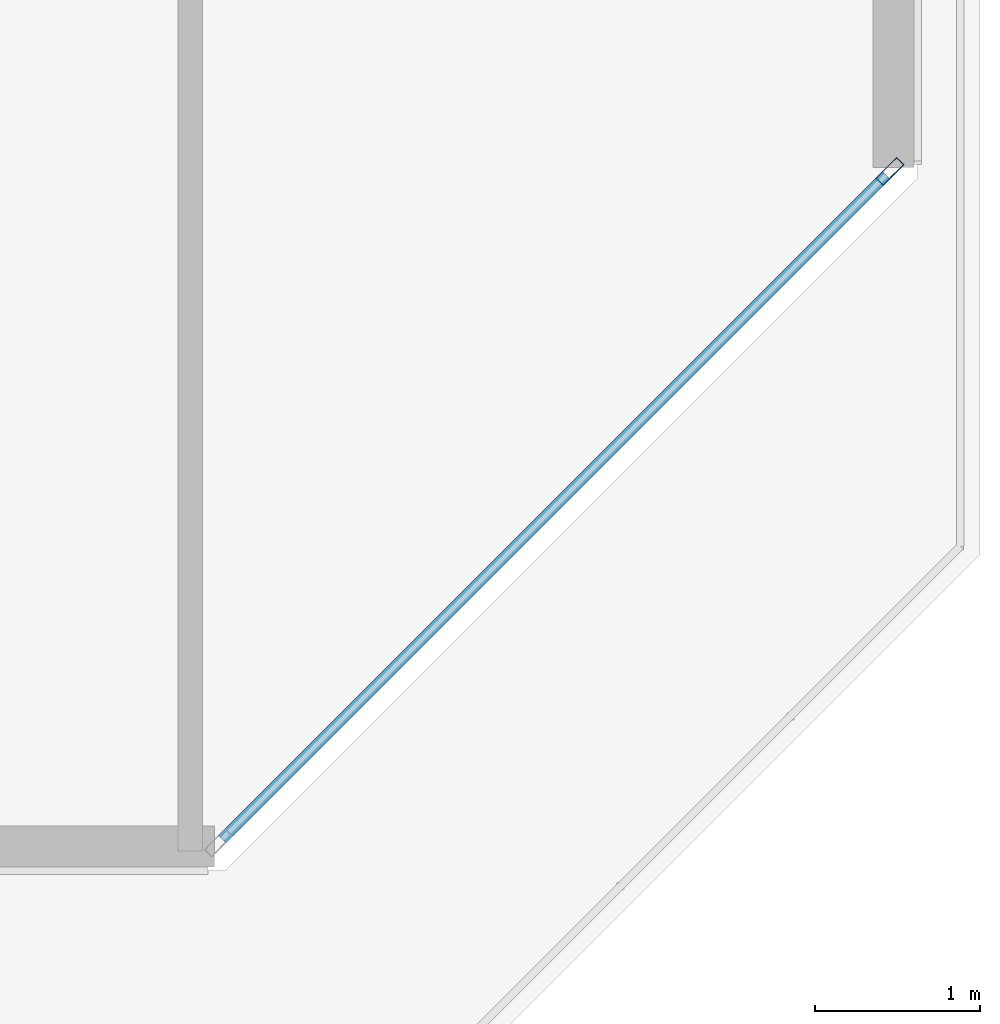
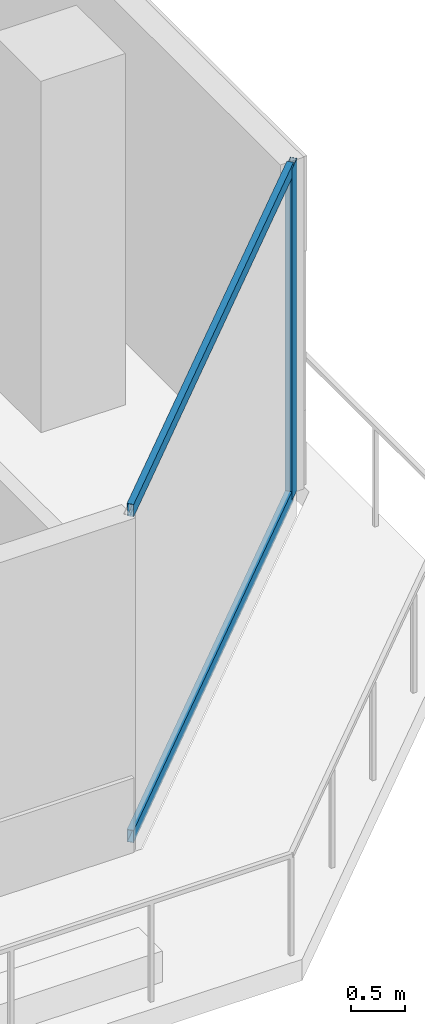
# One storey, part 16 of 30: 3 members, 1 element without a shape of its own.
"""IFC4 building model written with IfcOpenShell, lengths in metres."""

from ifc_helpers import new_model, si_unit, direction, frame, origin, origin_2d, place, context, subcontext, project, spatial, hollow_rectangle, extrude, material, layer, layer_set, material_profile, profile_set, type_object, element, aggregate, save


model = new_model("IFC4")

# Units and contexts
model_context = context("Model", 3, precision=1e-05, world=origin(), true_north=direction((0.0, 1.0)))
body_context = subcontext(model_context, "Body", "Model", "MODEL_VIEW")
ifc_project = project(units=[si_unit("LENGTHUNIT", "METRE"), si_unit("AREAUNIT", "SQUARE_METRE"), si_unit("VOLUMEUNIT", "CUBIC_METRE"), si_unit("PLANEANGLEUNIT", "RADIAN"), si_unit("MASSUNIT", "GRAM", prefix="KILO")], contexts=[model_context])

# Site, building, storey
site_placement = place(None, origin())
site = spatial("IfcSite", under=ifc_project, at=site_placement, CompositionType="ELEMENT")
building_placement = place(site_placement, origin())
building = spatial("IfcBuilding", under=site, at=building_placement, Name="Tanjung Sevakor Pilgrim Tower", CompositionType="ELEMENT")
storey_placement = place(building_placement, frame((0.0, 0.0, 128.0400390625)))
storey = spatial("IfcBuildingStorey", under=building, at=storey_placement, Name="L35", CompositionType="ELEMENT", Elevation=128.0400390625)

# Curtain wall, members
ifc_material_1 = material(Name="Aluminium 6063-T6 and Low-E Glass", Category="aluminium")
ifc_layer = layer(ifc_material_1, 0.179931640625)
ifc_layer_set = layer_set([ifc_layer], Name="CW-SYS-CHAM")
curtain_wall_type = type_object("IfcCurtainWallType", Name="CW-SYS-CHAM", PredefinedType="NOTDEFINED", material=ifc_layer_set)
curtain_wall_placement = place(storey_placement, origin())
curtain_wall = element("IfcCurtainWall", 1, at=curtain_wall_placement, inside=storey, type_object=curtain_wall_type, Name="L35 Curtain Wall CW-CHM-L35-MAIN-5", PredefinedType="NOTDEFINED")
ifc_material_2 = material(Name="Aluminium 6063-T6", Category="aluminium")
ifc_material_profile_1 = material_profile(ifc_material_2, hollow_rectangle(XDim=0.06494140625, YDim=0.179931640625, WallThickness=0.00390625, at=origin_2d()))
ifc_profile_set_1 = profile_set([ifc_material_profile_1], Name="Aluminium 6063-T6")
member_type_1 = type_object("IfcMemberType", Name="TYPE-CWM-1", PredefinedType="MULLION", material=ifc_profile_set_1)
member_1_placement = place(storey_placement, frame((99.85205078125, 16.12890625, 0.0), z_axis=(0.0, 0.0, 1.0), x_axis=(-0.707106781187, 0.707106781187, 0.0)))
member_1 = element("IfcMember", 2, at=member_1_placement, type_object=member_type_1, Name="CW-CHM mullion 2", PredefinedType="MULLION", context=body_context, shape_type="SweptSolid", body=[
    extrude(hollow_rectangle(XDim=0.06494140625, YDim=0.179931640625, WallThickness=0.00390625, at=origin_2d()), origin(), (0.0, 0.0, 1.0), 3.739990234375),
])
ifc_material_3 = material(Name="Aluminium 6063-T6", Category="aluminium")
ifc_material_profile_2 = material_profile(ifc_material_3, hollow_rectangle(XDim=0.06494140625, YDim=0.139892578125, WallThickness=0.00390625, at=origin_2d()))
ifc_profile_set_2 = profile_set([ifc_material_profile_2], Name="Aluminium 6063-T6")
member_type_2 = type_object("IfcMemberType", Name="TYPE-CWT-1", PredefinedType="USERDEFINED", material=ifc_profile_set_2)
member_2_placement = place(storey_placement, frame((95.794189453125, 12.071044921875, 0.032470703125), z_axis=(0.707106781187, 0.707106781187, 0.0), x_axis=(-0.707106781187, 0.707106781187, 0.0)))
member_2 = element("IfcMember", 3, at=member_2_placement, type_object=member_type_2, Name="CW-CHM transom 1.1", ObjectType="TRANSOM", PredefinedType="USERDEFINED", context=body_context, shape_type="SweptSolid", body=[
    extrude(hollow_rectangle(XDim=0.06494140625, YDim=0.139892578125, WallThickness=0.00390625, at=origin_2d()), origin(), (0.0, 0.0, 1.0), 5.706298828125),
])
member_3_placement = place(storey_placement, frame((95.794189453125, 12.071044921875, 3.70751953125), z_axis=(0.707106781187, 0.707106781187, 0.0), x_axis=(-0.707106781187, 0.707106781187, 0.0)))
member_3 = element("IfcMember", 4, at=member_3_placement, type_object=member_type_2, Name="CW-CHM transom 1.2", ObjectType="TRANSOM", PredefinedType="USERDEFINED", context=body_context, shape_type="SweptSolid", body=[
    extrude(hollow_rectangle(XDim=0.06494140625, YDim=0.139892578125, WallThickness=0.00390625, at=origin_2d()), origin(), (0.0, 0.0, 1.0), 5.706298828125),
])
aggregate(curtain_wall, [member_1, member_2, member_3])

save(model, "model.ifc")
